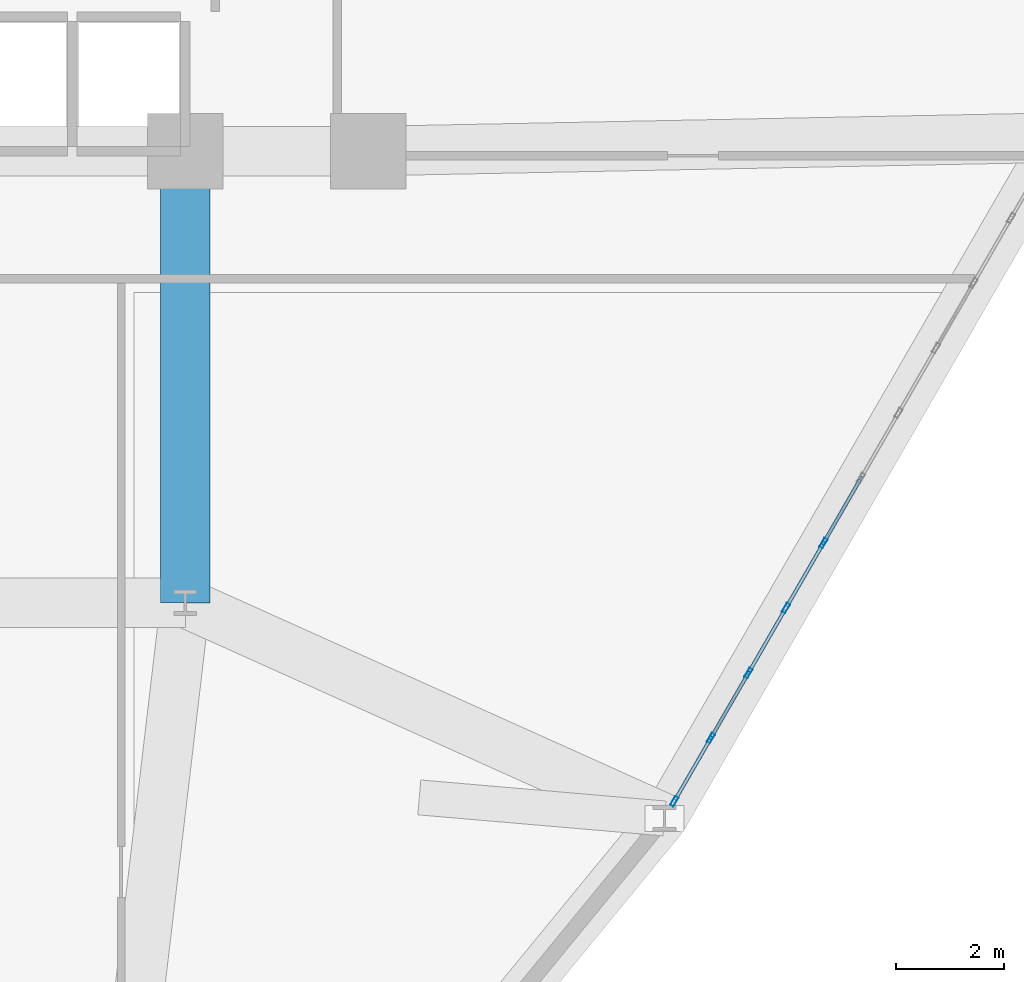
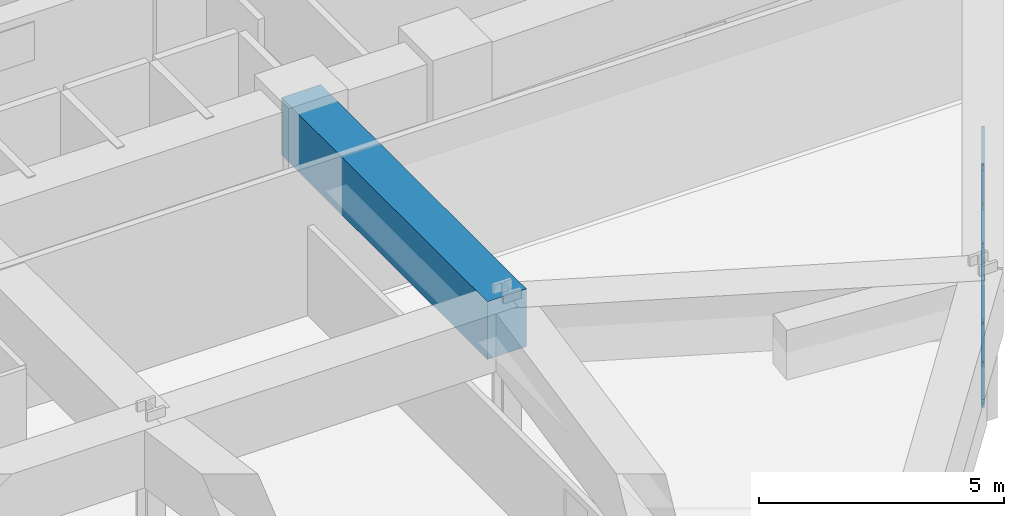
# One storey, part 6 of 18: 17 members, 1 beam, 1 element without a shape of its own.
"""IFC4 building model written with IfcOpenShell, lengths in metres."""

from ifc_helpers import new_model, si_unit, derived_unit, direction, frame, origin, origin_2d, place, context, subcontext, project, spatial, rectangle, hollow_rectangle, extrude, source, transform, mapped, material, layer, layer_set, material_profile, profile_set, type_object, element, aggregate, save


model = new_model("IFC4")

# Units and contexts
model_context = context("Model", 3, precision=1e-05, world=origin(), true_north=direction((0.0, 1.0)))
body_context = subcontext(model_context, "Body", "Model", "MODEL_VIEW")
ifc_project = project(units=[si_unit("LENGTHUNIT", "METRE"), si_unit("AREAUNIT", "SQUARE_METRE"), si_unit("VOLUMEUNIT", "CUBIC_METRE"), si_unit("PLANEANGLEUNIT", "RADIAN"), si_unit("MASSUNIT", "GRAM", prefix="KILO"), derived_unit("THERMALTRANSMITTANCEUNIT", [(si_unit("POWERUNIT", "WATT"), 1), (si_unit("LENGTHUNIT", "METRE"), -2), (si_unit("THERMODYNAMICTEMPERATUREUNIT", "KELVIN"), -1)])], contexts=[model_context])

# Site, building, storey
site_placement = place(None, origin())
site = spatial("IfcSite", under=ifc_project, at=site_placement, CompositionType="ELEMENT")
building_placement = place(site_placement, origin())
building = spatial("IfcBuilding", under=site, at=building_placement, Name="Korsvarv Bourse and Concert Hall", CompositionType="ELEMENT")
storey_placement = place(building_placement, frame((0.0, 0.0, 95.10009765625)))
storey = spatial("IfcBuildingStorey", under=building, at=storey_placement, Name="L23", CompositionType="ELEMENT", Elevation=95.10009765625)

# Beam
ifc_material_1 = material(Name="Concrete C50/60", Category="concrete")
ifc_material_profile_1 = material_profile(ifc_material_1, rectangle(XDim=0.919921875, YDim=1.43994140625, at=origin_2d()), Name="RC-BM 920x1440")
ifc_profile_set_1 = profile_set([ifc_material_profile_1], Name="Concrete C50/60")
beam_type = type_object("IfcBeamType", Name="BM-TR-144", PredefinedType="BEAM", material=ifc_profile_set_1)
shared_shape_1 = source(origin(), body_context, "Body", "SweptSolid", [
    extrude(rectangle(XDim=0.919921875, YDim=1.43994140625, at=origin_2d()), origin(), (0.0, 0.0, 1.0), 8.39990234375),
])
beam_placement = place(storey_placement, frame((44.39990234375, 24.0, 2.949951171875), z_axis=(0.0, 1.0, 0.0), x_axis=(-1.0, 0.0, 0.0)))
element("IfcBeam", 1, at=beam_placement, inside=storey, type_object=beam_type, Name="L23 beam B-TR4", PredefinedType="BEAM", context=body_context, shape_type="MappedRepresentation", body=[
    mapped(shared_shape_1, transform((0.0, 0.0, 0.0), scale=1.0)),
])

# Curtain wall, members
ifc_material_2 = material(Name="Anodised aluminium and triple low-E glazing", Category="glass")
ifc_layer = layer(ifc_material_2, 0.219970703125)
ifc_layer_set = layer_set([ifc_layer], Name="Anodised aluminium and triple low-E glazing")
curtain_wall_type = type_object("IfcCurtainWallType", Name="CW-SYS-1", PredefinedType="NOTDEFINED", material=ifc_layer_set)
curtain_wall_placement = place(storey_placement, origin())
curtain_wall = element("IfcCurtainWall", 2, at=curtain_wall_placement, inside=storey, type_object=curtain_wall_type, Name="L23 CW1 curtain wall CW-L23-F11", PredefinedType="NOTDEFINED")
ifc_material_3 = material(Name="Extruded aluminium EN AW-6063 T66", Category="aluminium")
ifc_material_profile_2 = material_profile(ifc_material_3, hollow_rectangle(XDim=0.070068359375, YDim=0.18994140625, WallThickness=0.0048828125, at=origin_2d()), Name="ALU-M 70x190")
ifc_profile_set_2 = profile_set([ifc_material_profile_2], Name="Extruded aluminium EN AW-6063 T66")
member_type_1 = type_object("IfcMemberType", Name="CWM-190", PredefinedType="MULLION", material=ifc_profile_set_2)
shared_shape_2 = source(origin(), body_context, "Body", "SweptSolid", [
    extrude(hollow_rectangle(XDim=0.070068359375, YDim=0.18994140625, WallThickness=0.0048828125, at=origin_2d()), origin(), (0.0, 0.0, 1.0), 2.06982421875),
])
member_1_placement = place(storey_placement, frame((53.4931640625, 20.30859375, 0.0), z_axis=(0.0, 0.0, 1.0), x_axis=(-0.8660261613, 0.499998687942, 0.0)))
member_1 = element("IfcMember", 3, at=member_1_placement, type_object=member_type_1, Name="CW1 mullion 1", PredefinedType="MULLION", context=body_context, shape_type="MappedRepresentation", body=[
    mapped(shared_shape_2, transform((0.0, 0.0, 0.0), scale=1.0)),
])
member_2_placement = place(storey_placement, frame((54.17333984375, 21.48681640625, 0.0), z_axis=(0.0, 0.0, 1.0), x_axis=(-0.8660261613, 0.499998687942, 0.0)))
member_2 = element("IfcMember", 4, at=member_2_placement, type_object=member_type_1, Name="CW1 mullion 2", PredefinedType="MULLION", context=body_context, shape_type="MappedRepresentation", body=[
    mapped(shared_shape_2, transform((0.0, 0.0, 0.0), scale=1.0)),
])
member_3_placement = place(storey_placement, frame((54.87109375, 22.6953125, 0.0), z_axis=(0.0, 0.0, 1.0), x_axis=(-0.8660261613, 0.499998687942, 0.0)))
member_3 = element("IfcMember", 5, at=member_3_placement, type_object=member_type_1, Name="CW1 mullion 3", PredefinedType="MULLION", context=body_context, shape_type="MappedRepresentation", body=[
    mapped(shared_shape_2, transform((0.0, 0.0, 0.0), scale=1.0)),
])
member_4_placement = place(storey_placement, frame((55.56884765625, 23.904052734375, 0.0), z_axis=(0.0, 0.0, 1.0), x_axis=(-0.8660261613, 0.499998687942, 0.0)))
member_4 = element("IfcMember", 6, at=member_4_placement, type_object=member_type_1, Name="CW1 mullion 4", PredefinedType="MULLION", context=body_context, shape_type="MappedRepresentation", body=[
    mapped(shared_shape_2, transform((0.0, 0.0, 0.0), scale=1.0)),
])
member_5_placement = place(storey_placement, frame((56.2666015625, 25.112548828125, 0.0), z_axis=(0.0, 0.0, 1.0), x_axis=(-0.8660261613, 0.499998687942, 0.0)))
member_5 = element("IfcMember", 7, at=member_5_placement, type_object=member_type_1, Name="CW1 mullion 5", PredefinedType="MULLION", context=body_context, shape_type="MappedRepresentation", body=[
    mapped(shared_shape_2, transform((0.0, 0.0, 0.0), scale=1.0)),
])
ifc_material_profile_3 = material_profile(ifc_material_3, hollow_rectangle(XDim=0.06494140625, YDim=0.139892578125, WallThickness=0.00390625, at=origin_2d()), Name="ALU-T 65x140")
ifc_profile_set_3 = profile_set([ifc_material_profile_3], Name="Extruded aluminium EN AW-6063 T66")
member_type_2 = type_object("IfcMemberType", Name="CWT-140", PredefinedType="USERDEFINED", material=ifc_profile_set_3)
shared_shape_3 = source(origin(), body_context, "Body", "SweptSolid", [
    extrude(hollow_rectangle(XDim=0.06494140625, YDim=0.139892578125, WallThickness=0.00390625, at=origin_2d()), origin(), (0.0, 0.0, 1.0), 1.29052734375),
])
member_6_placement = place(storey_placement, frame((53.510498046875, 20.3388671875, 0.032470703125), z_axis=(0.49998445949, 0.866034375916, 0.0), x_axis=(-0.866034375916, 0.49998445949, 0.0)))
member_6 = element("IfcMember", 8, at=member_6_placement, type_object=member_type_2, Name="CW1 transom 1.1", ObjectType="TRANSOM", PredefinedType="USERDEFINED", context=body_context, shape_type="MappedRepresentation", body=[
    mapped(shared_shape_3, transform((0.0, 0.0, 0.0), scale=1.0)),
])
member_7_placement = place(storey_placement, frame((53.510498046875, 20.3388671875, 2.037353515625), z_axis=(0.49998445949, 0.866034375916, 0.0), x_axis=(-0.866034375916, 0.49998445949, 0.0)))
member_7 = element("IfcMember", 9, at=member_7_placement, type_object=member_type_2, Name="CW1 transom 1.2", ObjectType="TRANSOM", PredefinedType="USERDEFINED", context=body_context, shape_type="MappedRepresentation", body=[
    mapped(shared_shape_3, transform((0.0, 0.0, 0.0), scale=1.0)),
])
shared_shape_4 = source(origin(), body_context, "Body", "SweptSolid", [
    extrude(hollow_rectangle(XDim=0.06494140625, YDim=0.139892578125, WallThickness=0.00390625, at=origin_2d()), origin(), (0.0, 0.0, 1.0), 1.325439453125),
])
member_8_placement = place(storey_placement, frame((54.19091796875, 21.51708984375, 0.032470703125), z_axis=(0.499903161488, 0.866081306307, 0.0), x_axis=(-0.866081306307, 0.499903161488, 0.0)))
member_8 = element("IfcMember", 10, at=member_8_placement, type_object=member_type_2, Name="CW1 transom 2.1", ObjectType="TRANSOM", PredefinedType="USERDEFINED", context=body_context, shape_type="MappedRepresentation", body=[
    mapped(shared_shape_4, transform((0.0, 0.0, 0.0), scale=1.0)),
])
member_9_placement = place(storey_placement, frame((54.19091796875, 21.51708984375, 2.037353515625), z_axis=(0.499903161488, 0.866081306307, 0.0), x_axis=(-0.866081306307, 0.499903161488, 0.0)))
member_9 = element("IfcMember", 11, at=member_9_placement, type_object=member_type_2, Name="CW1 transom 2.2", ObjectType="TRANSOM", PredefinedType="USERDEFINED", context=body_context, shape_type="MappedRepresentation", body=[
    mapped(shared_shape_4, transform((0.0, 0.0, 0.0), scale=1.0)),
])
member_10_placement = place(storey_placement, frame((54.888671875, 22.725830078125, 0.032470703125), z_axis=(0.499903161488, 0.866081306307, 0.0), x_axis=(-0.866081306307, 0.499903161488, 0.0)))
member_10 = element("IfcMember", 12, at=member_10_placement, type_object=member_type_2, Name="CW1 transom 3.1", ObjectType="TRANSOM", PredefinedType="USERDEFINED", context=body_context, shape_type="MappedRepresentation", body=[
    mapped(shared_shape_4, transform((0.0, 0.0, 0.0), scale=1.0)),
])
member_11_placement = place(storey_placement, frame((54.888671875, 22.725830078125, 2.037353515625), z_axis=(0.499903161488, 0.866081306307, 0.0), x_axis=(-0.866081306307, 0.499903161488, 0.0)))
member_11 = element("IfcMember", 13, at=member_11_placement, type_object=member_type_2, Name="CW1 transom 3.2", ObjectType="TRANSOM", PredefinedType="USERDEFINED", context=body_context, shape_type="MappedRepresentation", body=[
    mapped(shared_shape_4, transform((0.0, 0.0, 0.0), scale=1.0)),
])
member_12_placement = place(storey_placement, frame((55.58642578125, 23.934326171875, 0.032470703125), z_axis=(0.499903161488, 0.866081306307, 0.0), x_axis=(-0.866081306307, 0.499903161488, 0.0)))
member_12 = element("IfcMember", 14, at=member_12_placement, type_object=member_type_2, Name="CW1 transom 4.1", ObjectType="TRANSOM", PredefinedType="USERDEFINED", context=body_context, shape_type="MappedRepresentation", body=[
    mapped(shared_shape_4, transform((0.0, 0.0, 0.0), scale=1.0)),
])
member_13_placement = place(storey_placement, frame((55.58642578125, 23.934326171875, 2.037353515625), z_axis=(0.499903161488, 0.866081306307, 0.0), x_axis=(-0.866081306307, 0.499903161488, 0.0)))
member_13 = element("IfcMember", 15, at=member_13_placement, type_object=member_type_2, Name="CW1 transom 4.2", ObjectType="TRANSOM", PredefinedType="USERDEFINED", context=body_context, shape_type="MappedRepresentation", body=[
    mapped(shared_shape_4, transform((0.0, 0.0, 0.0), scale=1.0)),
])
ifc_material_profile_4 = material_profile(ifc_material_3, hollow_rectangle(XDim=0.06494140625, YDim=0.1650390625, WallThickness=0.0048828125, at=origin_2d()), Name="ALU-M 65x165")
ifc_profile_set_4 = profile_set([ifc_material_profile_4], Name="Extruded aluminium EN AW-6063 T66")
member_type_3 = type_object("IfcMemberType", Name="CWM-165", PredefinedType="MULLION", material=ifc_profile_set_4)
shared_shape_5 = source(origin(), body_context, "Body", "SweptSolid", [
    extrude(hollow_rectangle(XDim=0.06494140625, YDim=0.1650390625, WallThickness=0.0048828125, at=origin_2d()), origin(), (0.0, 0.0, 1.0), 2.349609375),
])
member_14_placement = place(storey_placement, frame((54.19091796875, 21.51708984375, 0.06494140625), z_axis=(0.282015291412, 0.488590972815, 0.825679257759), x_axis=(-0.866081306307, 0.499903161488, 0.0)))
member_14 = element("IfcMember", 16, at=member_14_placement, type_object=member_type_3, Name="CW1 diagonal mullion 2", PredefinedType="MULLION", context=body_context, shape_type="MappedRepresentation", body=[
    mapped(shared_shape_5, transform((0.0, 0.0, 0.0), scale=1.0)),
])
member_15_placement = place(storey_placement, frame((56.947021484375, 26.290771484375, 0.06494140625), z_axis=(-0.282110934177, -0.488576652854, 0.825655058183), x_axis=(0.866001554487, -0.500041305919, 0.0)))
member_15 = element("IfcMember", 17, at=member_15_placement, type_object=member_type_3, Name="CW1 diagonal mullion 5", PredefinedType="MULLION", context=body_context, shape_type="MappedRepresentation", body=[
    mapped(shared_shape_5, transform((0.0, 0.0, 0.0), scale=1.0)),
])
shared_shape_6 = source(origin(), body_context, "Body", "SweptSolid", [
    extrude(hollow_rectangle(XDim=0.06494140625, YDim=0.139892578125, WallThickness=0.00390625, at=origin_2d()), origin(), (0.0, 0.0, 1.0), 1.32568359375),
])
member_16_placement = place(storey_placement, frame((56.2841796875, 25.142822265625, 0.032470703125), z_axis=(0.500041305919, 0.866001554487, 0.0), x_axis=(-0.866001554487, 0.500041305919, 0.0)))
member_16 = element("IfcMember", 18, at=member_16_placement, type_object=member_type_2, Name="CW1 transom 5.1", ObjectType="TRANSOM", PredefinedType="USERDEFINED", context=body_context, shape_type="MappedRepresentation", body=[
    mapped(shared_shape_6, transform((0.0, 0.0, 0.0), scale=1.0)),
])
member_17_placement = place(storey_placement, frame((56.2841796875, 25.142822265625, 2.037353515625), z_axis=(0.500041305919, 0.866001554487, 0.0), x_axis=(-0.866001554487, 0.500041305919, 0.0)))
member_17 = element("IfcMember", 19, at=member_17_placement, type_object=member_type_2, Name="CW1 transom 5.2", ObjectType="TRANSOM", PredefinedType="USERDEFINED", context=body_context, shape_type="MappedRepresentation", body=[
    mapped(shared_shape_6, transform((0.0, 0.0, 0.0), scale=1.0)),
])
aggregate(curtain_wall, [member_1, member_2, member_3, member_4, member_5, member_6, member_7, member_8, member_9, member_14, member_10, member_11, member_12, member_13, member_16, member_17, member_15])

save(model, "model.ifc")
